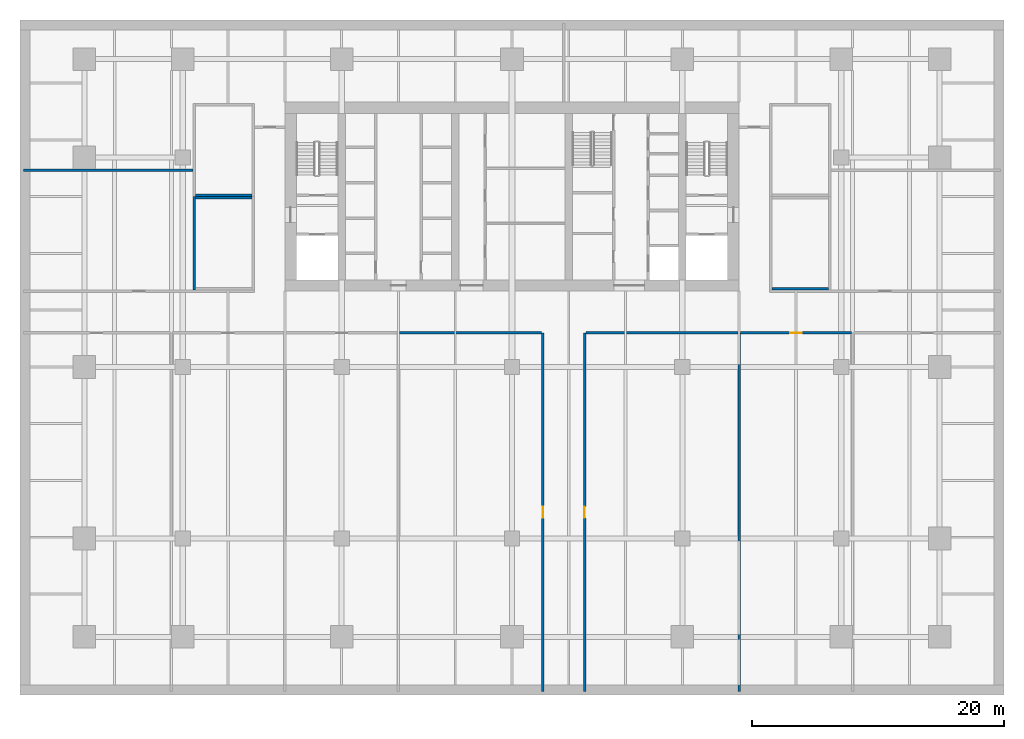
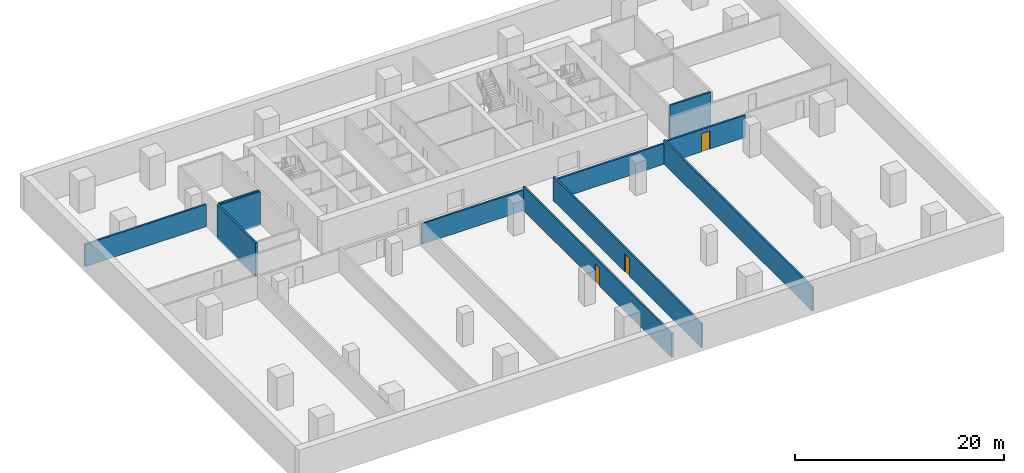
# One storey, part 6 of 10: 11 walls, 3 doors, 3 openings.
"""IFC4 building model written with IfcOpenShell, lengths in metres."""

import ifcopenshell
import ifcopenshell.guid

model = None  # the IFC model being written
_history = None  # IfcOwnerHistory: only IFC2X3 demands one
_inside = {}  # id of a spatial element -> (the spatial element, [elements in it])
_under = {}  # id of a project, library or spatial element -> (it, [spatial elements below it])
_declared = {}  # id of a project -> (the project, [libraries it declares])
_typed = {}  # id of a type object -> (the type object, [elements of that type])
_made_of = {}  # id of a material, layer set ... -> (it, [elements and type objects made of it])


def new_model(schema):
    """Start an empty IFC model of exactly this schema.

    Asked for "IFC4X3", IfcOpenShell would pick the latest addendum, in which some entities
    have other attributes; the version numbers below select the first issue.
    IFC2X3 requires an IfcOwnerHistory on every rooted entity: one is made here for all.
    """
    global model, _history
    if schema == "IFC4X3":
        model = ifcopenshell.file(schema_version=(4, 3, 0, 0))
    else:
        model = ifcopenshell.file(schema=schema)
    _inside.clear()
    _under.clear()
    _declared.clear()
    _typed.clear()
    _made_of.clear()
    _history = None
    if model.schema == "IFC2X3":
        org = make("IfcOrganization", Name="unknown")
        user = make(
            "IfcPersonAndOrganization",
            ThePerson=make("IfcPerson", FamilyName="unknown"),
            TheOrganization=org,
        )
        app = make(
            "IfcApplication",
            ApplicationDeveloper=org,
            Version="unknown",
            ApplicationFullName="unknown",
            ApplicationIdentifier="unknown",
        )
        _history = make(
            "IfcOwnerHistory",
            OwningUser=user,
            OwningApplication=app,
            ChangeAction="ADDED",
            CreationDate=0,
        )
    return model


def make(cls, **values):
    """One entity of the class cls with the attributes given. An attribute that is None is left unset."""
    return model.create_entity(
        cls, **{name: value for name, value in values.items() if value is not None}
    )


def rooted(cls, **values):
    """An entity with a GlobalId (a new one), such as an element, a storey or a relation."""
    return make(cls, GlobalId=ifcopenshell.guid.new(), OwnerHistory=_history, **values)


def si_unit(unit_type, name, prefix=None):
    """IfcSIUnit, for example si_unit("LENGTHUNIT", "METRE", prefix="MILLI")."""
    return make("IfcSIUnit", UnitType=unit_type, Prefix=prefix, Name=name)


def assignment(units):
    """IfcUnitAssignment: the units of a project."""
    return None if units is None else make("IfcUnitAssignment", Units=units)


def point(xyz):
    """IfcCartesianPoint."""
    return None if xyz is None else make("IfcCartesianPoint", Coordinates=xyz)


def direction(xyz):
    """IfcDirection."""
    return None if xyz is None else make("IfcDirection", DirectionRatios=xyz)


def frame(location, z_axis=None, x_axis=None):
    """IfcAxis2Placement3D, a coordinate frame: its origin and axes. An axis left out is left unset."""
    return make(
        "IfcAxis2Placement3D",
        Location=point(location),
        Axis=direction(z_axis),
        RefDirection=direction(x_axis),
    )


def frame_2d(location, x_axis=None):
    """IfcAxis2Placement2D, a coordinate frame in the plane: its origin and x axis."""
    return make(
        "IfcAxis2Placement2D", Location=point(location), RefDirection=direction(x_axis)
    )


def origin():
    """The frame at (0, 0, 0) with its axes left unset."""
    return frame((0.0, 0.0, 0.0))


def place(relative_to, where):
    """IfcLocalPlacement: puts the frame where relative to a parent placement (None: the world)."""
    return make(
        "IfcLocalPlacement", PlacementRelTo=relative_to, RelativePlacement=where
    )


def context(
    kind, dimensions, precision=None, world=None, true_north=None, identifier=None
):
    """IfcGeometricRepresentationContext, for example the 3D "Model" context."""
    return make(
        "IfcGeometricRepresentationContext",
        ContextIdentifier=identifier,
        ContextType=kind,
        CoordinateSpaceDimension=dimensions,
        Precision=precision,
        WorldCoordinateSystem=world,
        TrueNorth=true_north,
    )


def subcontext(parent, identifier, kind, view, scale=None):
    """IfcGeometricRepresentationSubContext, for example "Body" below "Model"."""
    return make(
        "IfcGeometricRepresentationSubContext",
        ContextIdentifier=identifier,
        ContextType=kind,
        ParentContext=parent,
        TargetScale=scale,
        TargetView=view,
    )


def project(units=None, contexts=None):
    """IfcProject with its units and contexts."""
    return rooted(
        "IfcProject",
        Name="project",
        RepresentationContexts=contexts,
        UnitsInContext=assignment(units),
    )


def spatial(cls, under=None, at=None, **own):
    """A site, building, storey or space (cls), placed at a placement, below another one or the project."""
    s = rooted(cls, ObjectPlacement=at, **own)
    if under is not None:
        _under.setdefault(under.id(), (under, []))[1].append(s)
    return s


def profile(cls, at=None, kind="AREA", **sizes):
    """A parametric profile (cls). Its sizes go by their IFC names, for example OverallWidth=200.0."""
    return make(cls, ProfileType=kind, Position=at, **sizes)


def rectangle(**sizes):
    """IfcRectangleProfileDef."""
    return profile("IfcRectangleProfileDef", **sizes)


def extrude(swept, where, along, depth):
    """IfcExtrudedAreaSolid: the profile swept, set in the frame where, extruded along a direction by depth."""
    return make(
        "IfcExtrudedAreaSolid",
        SweptArea=swept,
        Position=where,
        ExtrudedDirection=direction(along),
        Depth=depth,
    )


def shape(context_of_items, identifier, shape_type, items):
    """IfcShapeRepresentation: the items that make up one representation, for example the "Body"."""
    return make(
        "IfcShapeRepresentation",
        ContextOfItems=context_of_items,
        RepresentationIdentifier=identifier,
        RepresentationType=shape_type,
        Items=items,
    )


def material(Name=None, Category=None):
    """IfcMaterial."""
    return make("IfcMaterial", Name=Name, Category=Category)


def layer(
    of_material, thickness, ventilated=None, Name=None, Category=None, Priority=None
):
    """IfcMaterialLayer: one layer of a wall or slab, of a material (None: an air gap)."""
    return make(
        "IfcMaterialLayer",
        Material=of_material,
        LayerThickness=thickness,
        IsVentilated=ventilated,
        Name=Name,
        Category=Category,
        Priority=Priority,
    )


def layer_set(layers, Name=None):
    """IfcMaterialLayerSet."""
    return make("IfcMaterialLayerSet", MaterialLayers=layers, LayerSetName=Name)


def made_of(thing, what):
    """Note that an element or type object is made of a material, layer set ...; save() writes the relation."""
    if what is not None:
        _made_of.setdefault(what.id(), (what, []))[1].append(thing)
    return thing


def type_object(cls, material=None, **own):
    """A type object (cls), such as IfcWallType, which elements share."""
    return made_of(rooted(cls, **own), material)


def element(
    cls,
    number,
    at=None,
    inside=None,
    cuts=None,
    type_object=None,
    material=None,
    context=None,
    identifier="Body",
    shape_type=None,
    held_by="IfcProductDefinitionShape",
    body=None,
    shapes=None,
    **own,
):
    """One element of the class cls, such as IfcWall. Its Tag is "e" and its number.

    at: its placement. inside: the storey or other place that contains it. cuts: it is an
    opening in that element (IfcRelVoidsElement). A single representation is given by context,
    identifier, shape_type and body (its items); several are given by shapes. held_by: the class
    of the entity that holds the representations. save() writes the other relations.
    """
    e = rooted(cls, Tag="e%d" % number, ObjectPlacement=at, **own)
    if body is not None:
        shapes = [shape(context, identifier, shape_type, body)]
    if shapes is not None:
        e.Representation = make(held_by, Representations=shapes)
    if inside is not None:
        _inside.setdefault(inside.id(), (inside, []))[1].append(e)
    if cuts is not None:
        rooted(
            "IfcRelVoidsElement", RelatingBuildingElement=cuts, RelatedOpeningElement=e
        )
    if type_object is not None:
        _typed.setdefault(type_object.id(), (type_object, []))[1].append(e)
    return made_of(e, material)


def fill(opening, filler):
    """IfcRelFillsElement: the door or window that sits in an opening."""
    return rooted(
        "IfcRelFillsElement",
        RelatingOpeningElement=opening,
        RelatedBuildingElement=filler,
    )


def aggregate(whole, parts):
    """IfcRelAggregates: a whole, such as a stair, and the parts it consists of."""
    return rooted("IfcRelAggregates", RelatingObject=whole, RelatedObjects=parts)


def save(model, path):
    """Write the relations noted so far, then the file.

    IfcRelAggregates (storeys below a building ...), IfcRelContainedInSpatialStructure (elements
    in a storey), IfcRelDefinesByType, IfcRelAssociatesMaterial and IfcRelDeclares: one each for
    every whole, place, type object, material and project.
    """
    for whole, parts in _under.values():
        aggregate(whole, parts)
    for where, things in _inside.values():
        rooted(
            "IfcRelContainedInSpatialStructure",
            RelatedElements=things,
            RelatingStructure=where,
        )
    for kind, things in _typed.values():
        rooted("IfcRelDefinesByType", RelatedObjects=things, RelatingType=kind)
    for what, things in _made_of.values():
        rooted("IfcRelAssociatesMaterial", RelatedObjects=things, RelatingMaterial=what)
    for by, libraries in _declared.values():
        rooted("IfcRelDeclares", RelatingContext=by, RelatedDefinitions=libraries)
    model.write(path)


model = new_model("IFC4")

# Units and contexts
model_context = context("Model", 3, precision=1e-05, world=origin(), true_north=direction((0.0, 1.0)))
body_context = subcontext(model_context, "Body", "Model", "MODEL_VIEW")
ifc_project = project(units=[si_unit("LENGTHUNIT", "METRE"), si_unit("AREAUNIT", "SQUARE_METRE"), si_unit("VOLUMEUNIT", "CUBIC_METRE"), si_unit("PLANEANGLEUNIT", "RADIAN"), si_unit("MASSUNIT", "GRAM", prefix="KILO")], contexts=[model_context])

# Site, building, storey
site_placement = place(None, origin())
site = spatial("IfcSite", under=ifc_project, at=site_placement, CompositionType="ELEMENT")
building_placement = place(site_placement, origin())
building = spatial("IfcBuilding", under=site, at=building_placement, Name="Rattan Terrace Tower", CompositionType="ELEMENT")
storey_placement = place(building_placement, frame((0.0, 0.0, -9.5)))
storey = spatial("IfcBuildingStorey", under=building, at=storey_placement, Name="B2", CompositionType="ELEMENT", Elevation=-9.5)

# Wall
ifc_material_1 = material(Name="Concrete block wall, plastered", Category="concrete")
ifc_layer_1 = layer(ifc_material_1, 0.199951171875)
ifc_layer_set_1 = layer_set([ifc_layer_1], Name="Floors Plant Wall 200")
wall_type_1 = type_object("IfcWallType", Name="Floors Plant Wall 200", PredefinedType="PARTITIONING", material=ifc_layer_set_1)
wall_1_placement = place(storey_placement, frame((2.35009765625, -10.800048828125, 0.0), z_axis=(0.0, 0.0, 1.0), x_axis=(-1.0, 0.0, 0.0)))
element("IfcWall", 1, at=wall_1_placement, inside=storey, type_object=wall_type_1, Name="pt-B2-004", PredefinedType="PARTITIONING", context=body_context, shape_type="SweptSolid", body=[
    extrude(rectangle(XDim=11.25, YDim=0.199951171875, at=frame_2d((5.625, 0.0))), origin(), (0.0, 0.0, 1.0), 2.39990234375),
])

# Wall, opening, door
wall_2_placement = place(storey_placement, frame((2.449951171875, -39.239990234375, 0.0), z_axis=(0.0, 0.0, 1.0), x_axis=(0.0, 1.0, 0.0)))
wall_2 = element("IfcWall", 2, at=wall_2_placement, inside=storey, type_object=wall_type_1, Name="pt-B2-005", PredefinedType="PARTITIONING", context=body_context, shape_type="SweptSolid", body=[
    extrude(rectangle(XDim=28.43994140625, YDim=0.199951171875, at=frame_2d((14.219970703125, 0.0))), origin(), (0.0, 0.0, 1.0), 2.800048828125),
])
opening_1_placement = place(wall_2_placement, frame((13.77001953125, 0.0, 0.0)))
opening_1 = element("IfcOpeningElement", 3, at=opening_1_placement, cuts=wall_2, Name="Opening B2-D103", PredefinedType="OPENING", context=body_context, shape_type="SweptSolid", body=[
    extrude(rectangle(XDim=0.89990234375, YDim=2.10009765625, at=frame_2d((0.449951171875, 1.050048828125))), frame((0.0, 0.110595703125, 0.0), z_axis=(0.0, -1.0, 0.0), x_axis=(1.0, 0.0, 0.0)), (0.0, 0.0, 1.0), 0.220947265625),
])
ifc_material_2 = material(Name="Steel fire door set", Category="steel")
door_type = type_object("IfcDoorType", Name="Floors Fire Door FD60 900x2100", OperationType="NOTDEFINED", PredefinedType="DOOR", material=ifc_material_2)
door_1_placement = place(opening_1_placement, origin())
door_1 = element("IfcDoor", 4, at=door_1_placement, inside=storey, type_object=door_type, Name="d-B2-103", OperationType="SINGLE_SWING_RIGHT", OverallHeight=2.10009765625, OverallWidth=0.89990234375, PredefinedType="DOOR", context=body_context, shape_type="SweptSolid", body=[
    extrude(rectangle(XDim=0.89990234375, YDim=2.10009765625, at=frame_2d((0.449951171875, 1.050048828125))), frame((0.0, 0.02490234375, 0.0), z_axis=(0.0, -1.0, 0.0), x_axis=(1.0, 0.0, 0.0)), (0.0, 0.0, 1.0), 0.050048828125),
])
fill(opening_1, door_1)

wall_3_placement = place(storey_placement, frame((5.75, -10.800048828125, 0.0), z_axis=(0.0, 0.0, 1.0), x_axis=(0.0, -1.0, 0.0)))
wall_3 = element("IfcWall", 5, at=wall_3_placement, inside=storey, type_object=wall_type_1, Name="pt-B2-006", PredefinedType="PARTITIONING", context=body_context, shape_type="SweptSolid", body=[
    extrude(rectangle(XDim=28.43994140625, YDim=0.199951171875, at=frame_2d((14.219970703125, 0.0))), origin(), (0.0, 0.0, 1.0), 2.800048828125),
])
opening_2_placement = place(wall_3_placement, frame((13.77001953125, 0.0, 0.0)))
opening_2 = element("IfcOpeningElement", 6, at=opening_2_placement, cuts=wall_3, Name="Opening B2-D104", PredefinedType="OPENING", context=body_context, shape_type="SweptSolid", body=[
    extrude(rectangle(XDim=0.89990234375, YDim=2.10009765625, at=frame_2d((0.449951171875, 1.050048828125))), frame((0.0, 0.110595703125, 0.0), z_axis=(0.0, -1.0, 0.0), x_axis=(1.0, 0.0, 0.0)), (0.0, 0.0, 1.0), 0.220947265625),
])
door_2_placement = place(opening_2_placement, origin())
door_2 = element("IfcDoor", 7, at=door_2_placement, inside=storey, type_object=door_type, Name="d-B2-104", OperationType="SINGLE_SWING_LEFT", OverallHeight=2.10009765625, OverallWidth=0.89990234375, PredefinedType="DOOR", context=body_context, shape_type="SweptSolid", body=[
    extrude(rectangle(XDim=0.89990234375, YDim=2.10009765625, at=frame_2d((0.449951171875, 1.050048828125))), frame((0.0, 0.02490234375, 0.0), z_axis=(0.0, -1.0, 0.0), x_axis=(1.0, 0.0, 0.0)), (0.0, 0.0, 1.0), 0.050048828125),
])
fill(opening_2, door_2)

# Wall
wall_4_placement = place(storey_placement, frame((17.89990234375, -10.800048828125, 0.0), z_axis=(0.0, 0.0, 1.0), x_axis=(-1.0, 0.0, 0.0)))
element("IfcWall", 8, at=wall_4_placement, inside=storey, type_object=wall_type_1, Name="pt-B2-007", PredefinedType="PARTITIONING", context=body_context, shape_type="SweptSolid", body=[
    extrude(rectangle(XDim=12.0498046875, YDim=0.199951171875, at=frame_2d((6.02490234375, 0.0))), origin(), (0.0, 0.0, 1.0), 2.39990234375),
])

# Wall, opening, door
wall_5_placement = place(storey_placement, frame((26.902099609375, -10.800048828125, 0.0), z_axis=(0.0, 0.0, 1.0), x_axis=(-1.0, 0.0, 0.0)))
wall_5 = element("IfcWall", 9, at=wall_5_placement, inside=storey, type_object=wall_type_1, Name="pt-B2-008", PredefinedType="PARTITIONING", context=body_context, shape_type="SweptSolid", body=[
    extrude(rectangle(XDim=8.802001953125, YDim=0.199951171875, at=frame_2d((4.40087890625, 0.0))), origin(), (0.0, 0.0, 1.0), 2.60009765625),
])
opening_3_placement = place(wall_5_placement, frame((3.950927734375, 0.0, 0.0)))
opening_3 = element("IfcOpeningElement", 10, at=opening_3_placement, cuts=wall_5, Name="Opening B2-D105", PredefinedType="OPENING", context=body_context, shape_type="SweptSolid", body=[
    extrude(rectangle(XDim=0.89990234375, YDim=2.10009765625, at=frame_2d((0.449951171875, 1.050048828125))), frame((0.0, 0.110595703125, 0.0), z_axis=(0.0, -1.0, 0.0), x_axis=(1.0, 0.0, 0.0)), (0.0, 0.0, 1.0), 0.220947265625),
])
door_3_placement = place(opening_3_placement, origin())
door_3 = element("IfcDoor", 11, at=door_3_placement, inside=storey, type_object=door_type, Name="d-B2-105", OperationType="SINGLE_SWING_RIGHT", OverallHeight=2.10009765625, OverallWidth=0.89990234375, PredefinedType="DOOR", context=body_context, shape_type="SweptSolid", body=[
    extrude(rectangle(XDim=0.89990234375, YDim=2.10009765625, at=frame_2d((0.449951171875, 1.050048828125))), frame((0.0, 0.02490234375, 0.0), z_axis=(0.0, -1.0, 0.0), x_axis=(1.0, 0.0, 0.0)), (0.0, 0.0, 1.0), 0.050048828125),
])
fill(opening_3, door_3)

# Walls
wall_6_placement = place(storey_placement, frame((18.0, -10.800048828125, 0.0), z_axis=(0.0, 0.0, 1.0), x_axis=(0.0, -1.0, 0.0)))
element("IfcWall", 12, at=wall_6_placement, inside=storey, type_object=wall_type_1, Name="pt-B2-017", PredefinedType="PARTITIONING", context=body_context, shape_type="SweptSolid", body=[
    extrude(rectangle(XDim=28.43994140625, YDim=0.199951171875, at=frame_2d((14.219970703125, 0.0))), origin(), (0.0, 0.0, 1.0), 2.800048828125),
])
wall_7_placement = place(storey_placement, frame((-38.739990234375, 2.10888671875, 0.0), z_axis=(0.0, 0.0, 1.0), x_axis=(1.0, 0.0, 0.0)))
element("IfcWall", 13, at=wall_7_placement, inside=storey, type_object=wall_type_1, Name="pt-B2-019", PredefinedType="PARTITIONING", context=body_context, shape_type="SweptSolid", body=[
    extrude(rectangle(XDim=13.43994140625, YDim=0.199951171875, at=frame_2d((6.719970703125, 0.0))), origin(), (0.0, 0.0, 1.0), 2.60009765625),
])
ifc_material_3 = material(Name="Concrete C40/50", Category="concrete")
ifc_layer_2 = layer(ifc_material_3, 0.199951171875)
ifc_layer_set_2 = layer_set([ifc_layer_2], Name="Podium exit stair shaft wall 200")
wall_type_2 = type_object("IfcWallType", Name="Podium exit stair shaft wall 200", PredefinedType="SHEAR", material=ifc_layer_set_2)
wall_8_placement = place(storey_placement, frame((-25.199951171875, -7.39990234375, -0.199951171875), z_axis=(0.0, 0.0, 1.0), x_axis=(0.0, 1.0, 0.0)))
element("IfcWall", 14, at=wall_8_placement, inside=storey, type_object=wall_type_2, Name="B2 stair S4 shaft wall", PredefinedType="SHEAR", context=body_context, shape_type="SweptSolid", body=[
    extrude(rectangle(XDim=7.39990234375, YDim=0.199951171875, at=frame_2d((3.699951171875, 0.0))), origin(), (0.0, 0.0, 1.0), 4.0),
])
for number, where, z_axis, x_axis, name in (
    (15, (-25.10009765625, -0.10009765625, -0.199951171875), (0.0, 0.0, 1.0), (1.0, 0.0, 0.0), "B2 stair S4 shaft wall"),
    (16, (-25.10009765625, 0.10009765625, -0.199951171875), (0.0, 0.0, 1.0), (1.0, 0.0, 0.0), "B2 stair S5 shaft wall"),
    (17, (20.60009765625, -7.300048828125, -0.199951171875), (0.0, 0.0, 1.0), (1.0, 0.0, 0.0), "B2 stair S6 shaft wall"),
):
    element("IfcWall", number, at=place(storey_placement, frame(where, z_axis=z_axis, x_axis=x_axis)), inside=storey, type_object=wall_type_2, Name=name, PredefinedType="SHEAR", context=body_context, shape_type="SweptSolid", body=[
        extrude(rectangle(XDim=4.5, YDim=0.199951171875, at=frame_2d((2.25, 0.0))), origin(), (0.0, 0.0, 1.0), 4.0),
    ])

save(model, "model.ifc")
